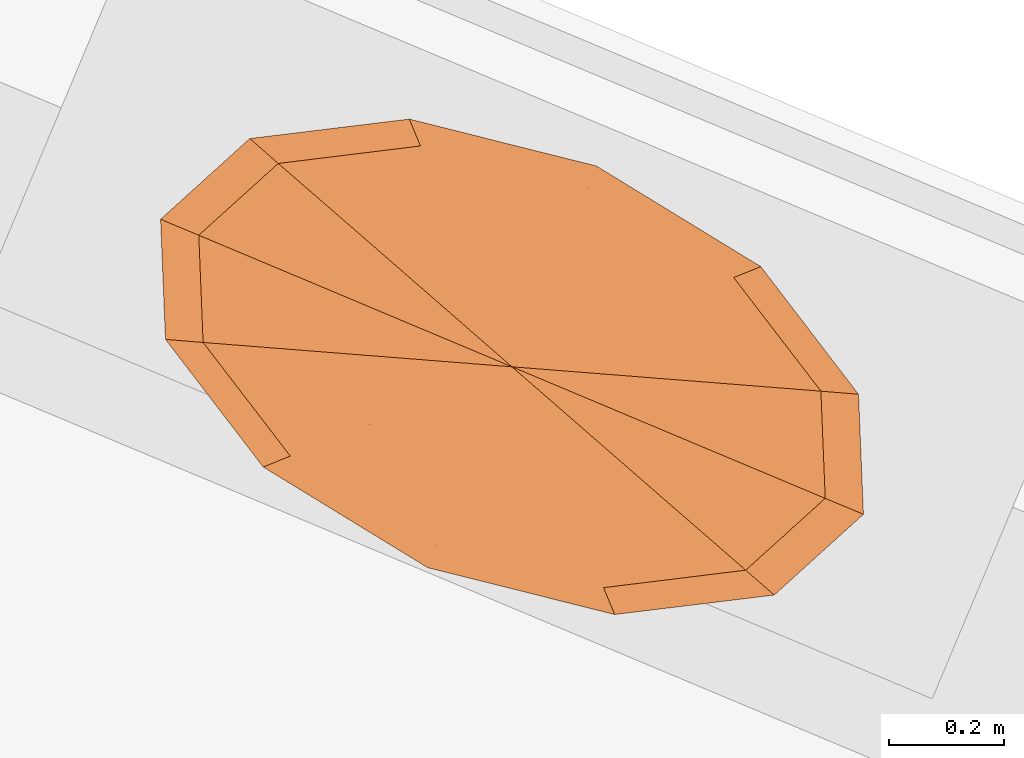
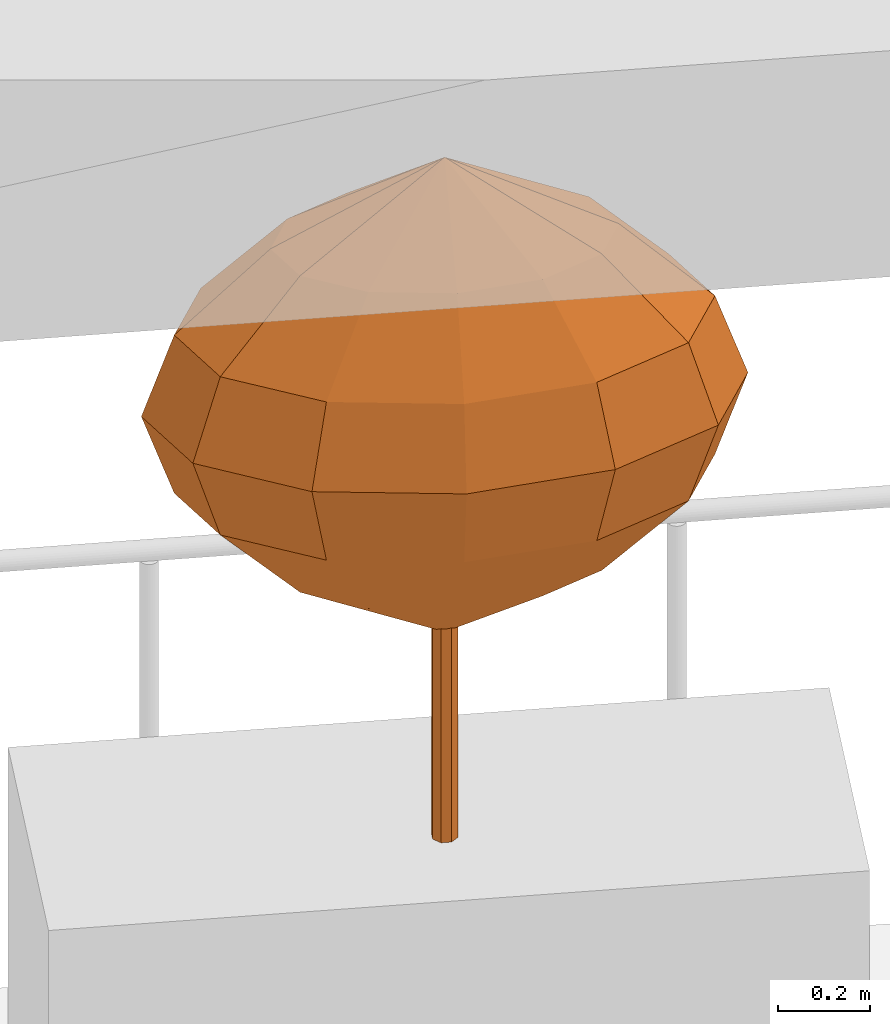
# One storey, part 12 of 12: 1 geographic element.
"""IFC4 building model written with IfcOpenShell, lengths in metres."""

from ifc_helpers import new_model, si_unit, direction, frame, origin, place, context, subcontext, project, spatial, faceted_brep, material, constituent, constituent_set, type_object, element, save


model = new_model("IFC4")

# Units and contexts
model_context = context("Model", 3, precision=1e-05, world=origin(), true_north=direction((0.0, 1.0)))
body_context = subcontext(model_context, "Body", "Model", "MODEL_VIEW")
ifc_project = project(units=[si_unit("LENGTHUNIT", "METRE"), si_unit("AREAUNIT", "SQUARE_METRE"), si_unit("VOLUMEUNIT", "CUBIC_METRE"), si_unit("PLANEANGLEUNIT", "RADIAN"), si_unit("MASSUNIT", "GRAM", prefix="KILO")], contexts=[model_context])

# Site, building, storey
site_placement = place(None, origin())
site = spatial("IfcSite", under=ifc_project, at=site_placement, CompositionType="ELEMENT")
building_placement = place(site_placement, origin())
building = spatial("IfcBuilding", under=site, at=building_placement, Name="Taillehof Tower", CompositionType="ELEMENT")
storey_placement = place(building_placement, frame((0.0, 0.0, 239.89990234375)))
storey = spatial("IfcBuildingStorey", under=building, at=storey_placement, Name="L68", CompositionType="ELEMENT", Elevation=239.89990234375)

# Geographic element
ifc_material_1 = material(Name="Tree bark", Category="timber")
ifc_constituent_1 = constituent(ifc_material_1, Name="Trunk", Category="timber")
ifc_material_2 = material(Name="Tree foliage")
ifc_constituent_2 = constituent(ifc_material_2, Name="Crown")
ifc_constituent_set = constituent_set(constituents=[ifc_constituent_1, ifc_constituent_2], Name="Tree TR4 Sea buckthorn standard")
geographic_element_type = type_object("IfcGeographicElementType", Name="Tree TR4 Sea buckthorn standard", PredefinedType="USERDEFINED", material=ifc_constituent_set)
geographic_element_placement = place(storey_placement, frame((10.07958984375, 19.973388671875, 0.75)))
element("IfcGeographicElement", 1, at=geographic_element_placement, inside=storey, type_object=geographic_element_type, Name="Tree TR4 Sea buckthorn standard", ObjectType="TREE", PredefinedType="USERDEFINED", context=body_context, shape_type="Brep", body=[
    faceted_brep([(0.030029296875, 0.0, 0.0), (0.021240234375, 0.021240234375, 0.0), (0.021240234375, 0.021240234375, 0.98095703125), (0.030029296875, 0.0, 0.98095703125), (0.0, 0.030029296875, 0.0), (0.0, 0.030029296875, 0.98095703125), (-0.021240234375, 0.021240234375, 0.0), (-0.021240234375, 0.021240234375, 0.98095703125), (-0.030029296875, 0.0, 0.0), (-0.030029296875, 0.0, 0.98095703125), (-0.021240234375, -0.021240234375, 0.0), (-0.021240234375, -0.021240234375, 0.98095703125), (0.0, -0.030029296875, 0.0), (0.0, -0.030029296875, 0.98095703125), (0.021240234375, -0.021240234375, 0.0), (0.021240234375, -0.021240234375, 0.98095703125)], [[[0, 1, 2, 3]], [[1, 4, 5, 2]], [[4, 6, 7, 5]], [[6, 8, 9, 7]], [[8, 10, 11, 9]], [[10, 12, 13, 11]], [[12, 14, 15, 13]], [[14, 0, 3, 15]], [[14, 12, 10, 8, 6, 4, 1, 0]], [[3, 2, 5, 7, 9, 11, 13, 15]]]),
    faceted_brep([(0.0, 0.0, 0.5400390625), (-0.34716796875, 0.02734375, 0.75), (-0.35205078125, 0.14794921875, 0.75), (-0.249267578125, -0.100341796875, 0.75), (-0.08447265625, -0.201171875, 0.75), (0.10302734375, -0.248291015625, 0.75), (0.2626953125, -0.228759765625, 0.75), (0.35205078125, -0.14794921875, 0.75), (0.34716796875, -0.02734375, 0.75), (0.249267578125, 0.100341796875, 0.75), (0.08447265625, 0.201171875, 0.75), (-0.10302734375, 0.248291015625, 0.75), (-0.2626953125, 0.228759765625, 0.75), (-0.538818359375, 0.04248046875, 0.9599609375), (-0.54638671875, 0.2294921875, 0.9599609375), (-0.38671875, -0.15576171875, 0.9599609375), (-0.131103515625, -0.312255859375, 0.9599609375), (0.15966796875, -0.38525390625, 0.9599609375), (0.40771484375, -0.354736328125, 0.9599609375), (0.54638671875, -0.2294921875, 0.9599609375), (0.538818359375, -0.04248046875, 0.9599609375), (0.38671875, 0.15576171875, 0.9599609375), (0.131103515625, 0.312255859375, 0.9599609375), (-0.15966796875, 0.38525390625, 0.9599609375), (-0.40771484375, 0.354736328125, 0.9599609375), (-0.6044921875, 0.0478515625, 1.169921875), (-0.613037109375, 0.25732421875, 1.169921875), (-0.43408203125, -0.1748046875, 1.169921875), (-0.147216796875, -0.350341796875, 1.169921875), (0.17919921875, -0.43212890625, 1.169921875), (0.45751953125, -0.398193359375, 1.169921875), (0.613037109375, -0.25732421875, 1.169921875), (0.6044921875, -0.0478515625, 1.169921875), (0.43408203125, 0.1748046875, 1.169921875), (0.147216796875, 0.350341796875, 1.169921875), (-0.17919921875, 0.43212890625, 1.169921875), (-0.45751953125, 0.398193359375, 1.169921875), (-0.538818359375, 0.04248046875, 1.3798828125), (-0.54638671875, 0.2294921875, 1.3798828125), (-0.38671875, -0.15576171875, 1.3798828125), (-0.131103515625, -0.312255859375, 1.3798828125), (0.15966796875, -0.38525390625, 1.3798828125), (0.40771484375, -0.354736328125, 1.3798828125), (0.54638671875, -0.2294921875, 1.3798828125), (0.538818359375, -0.04248046875, 1.3798828125), (0.38671875, 0.15576171875, 1.3798828125), (0.131103515625, 0.312255859375, 1.3798828125), (-0.15966796875, 0.38525390625, 1.3798828125), (-0.40771484375, 0.354736328125, 1.3798828125), (-0.34716796875, 0.02734375, 1.590087890625), (-0.35205078125, 0.14794921875, 1.590087890625), (-0.249267578125, -0.100341796875, 1.590087890625), (-0.08447265625, -0.201171875, 1.590087890625), (0.10302734375, -0.248291015625, 1.590087890625), (0.2626953125, -0.228759765625, 1.590087890625), (0.35205078125, -0.14794921875, 1.590087890625), (0.34716796875, -0.02734375, 1.590087890625), (0.249267578125, 0.100341796875, 1.590087890625), (0.08447265625, 0.201171875, 1.590087890625), (-0.10302734375, 0.248291015625, 1.590087890625), (-0.2626953125, 0.228759765625, 1.590087890625), (0.0, 0.0, 1.800048828125)], [[[0, 1, 2]], [[0, 3, 1]], [[0, 4, 3]], [[0, 5, 4]], [[0, 6, 5]], [[0, 7, 6]], [[0, 8, 7]], [[0, 9, 8]], [[0, 10, 9]], [[0, 11, 10]], [[0, 12, 11]], [[0, 2, 12]], [[2, 1, 13, 14]], [[1, 3, 15, 13]], [[3, 4, 16, 15]], [[4, 5, 17, 16]], [[5, 6, 18, 17]], [[6, 7, 19, 18]], [[7, 8, 20, 19]], [[8, 9, 21, 20]], [[9, 10, 22, 21]], [[10, 11, 23, 22]], [[11, 12, 24, 23]], [[12, 2, 14, 24]], [[14, 13, 25, 26]], [[13, 15, 27, 25]], [[15, 16, 28, 27]], [[16, 17, 29, 28]], [[17, 18, 30, 29]], [[18, 19, 31, 30]], [[19, 20, 32, 31]], [[20, 21, 33, 32]], [[21, 22, 34, 33]], [[22, 23, 35, 34]], [[23, 24, 36, 35]], [[24, 14, 26, 36]], [[26, 25, 37, 38]], [[25, 27, 39, 37]], [[27, 28, 40, 39]], [[28, 29, 41, 40]], [[29, 30, 42, 41]], [[30, 31, 43, 42]], [[31, 32, 44, 43]], [[32, 33, 45, 44]], [[33, 34, 46, 45]], [[34, 35, 47, 46]], [[35, 36, 48, 47]], [[36, 26, 38, 48]], [[38, 37, 49, 50]], [[37, 39, 51, 49]], [[39, 40, 52, 51]], [[40, 41, 53, 52]], [[41, 42, 54, 53]], [[42, 43, 55, 54]], [[43, 44, 56, 55]], [[44, 45, 57, 56]], [[45, 46, 58, 57]], [[46, 47, 59, 58]], [[47, 48, 60, 59]], [[48, 38, 50, 60]], [[50, 49, 61]], [[49, 51, 61]], [[51, 52, 61]], [[52, 53, 61]], [[53, 54, 61]], [[54, 55, 61]], [[55, 56, 61]], [[56, 57, 61]], [[57, 58, 61]], [[58, 59, 61]], [[59, 60, 61]], [[60, 50, 61]]]),
])

save(model, "model.ifc")
